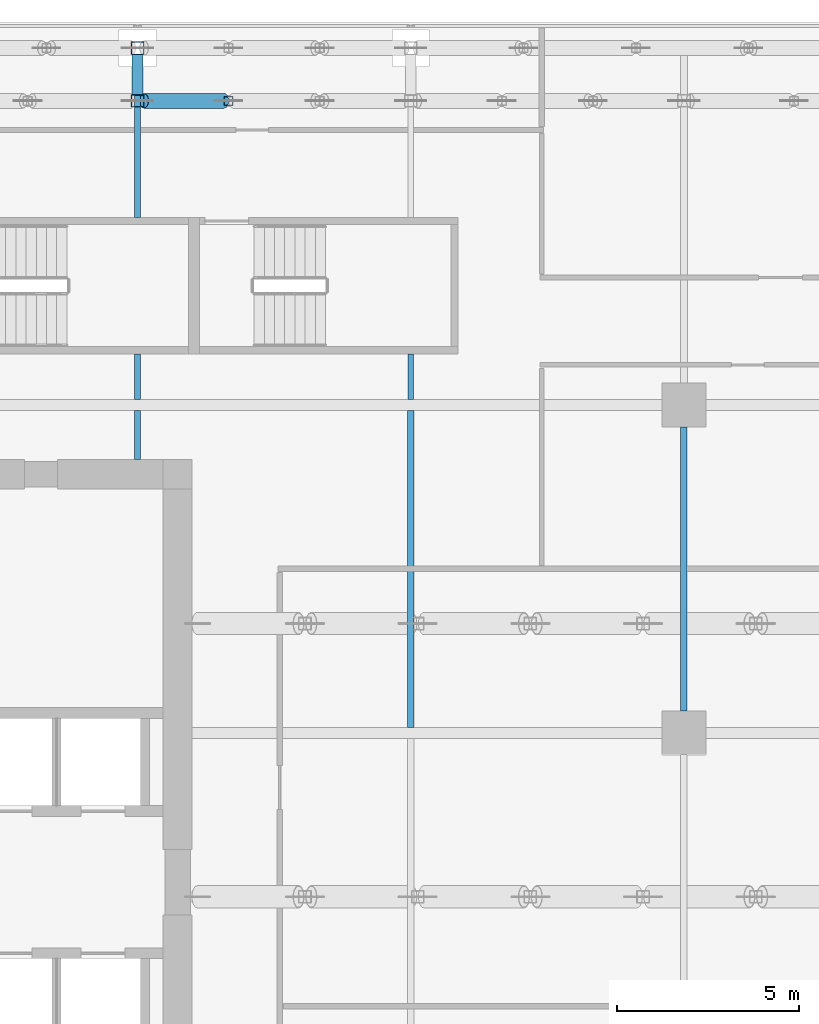
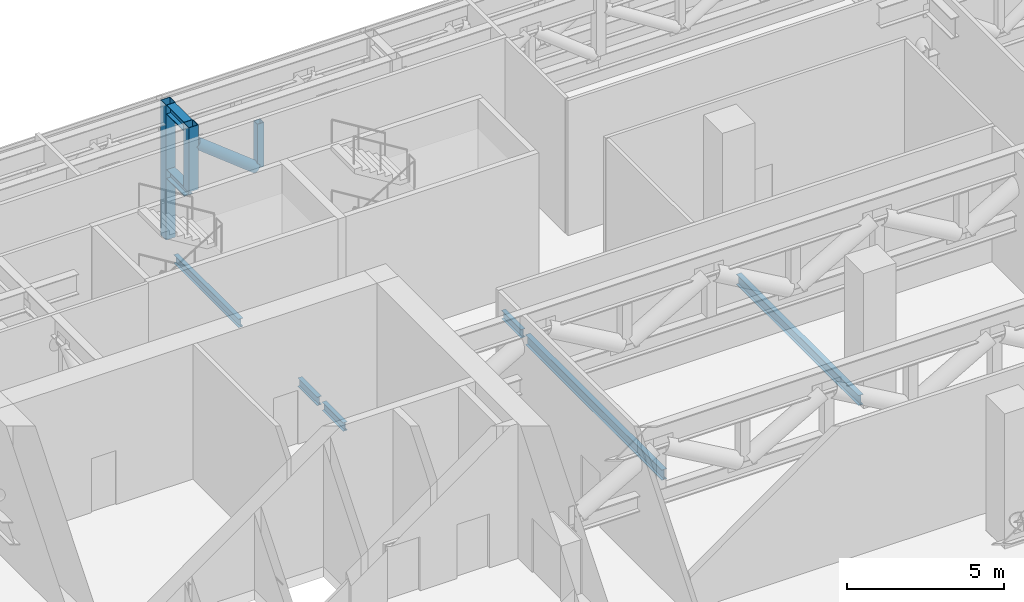
# One storey, part 21 of 36: 8 beams, 4 members.
"""IFC4 building model written with IfcOpenShell, lengths in metres."""

from ifc_helpers import new_model, si_unit, direction, frame, origin, origin_2d, place, context, subcontext, project, spatial, hollow_rectangle, hollow_circle, i_section, extrude, source, transform, mapped, material, material_profile, profile_set, type_object, element, save


model = new_model("IFC4")

# Units and contexts
model_context = context("Model", 3, precision=1e-05, world=origin(), true_north=direction((0.0, 1.0)))
body_context = subcontext(model_context, "Body", "Model", "MODEL_VIEW")
ifc_project = project(units=[si_unit("LENGTHUNIT", "METRE"), si_unit("AREAUNIT", "SQUARE_METRE"), si_unit("VOLUMEUNIT", "CUBIC_METRE"), si_unit("PLANEANGLEUNIT", "RADIAN"), si_unit("MASSUNIT", "GRAM", prefix="KILO")], contexts=[model_context])

# Site, building, storey
site_placement = place(None, origin())
site = spatial("IfcSite", under=ifc_project, at=site_placement, CompositionType="ELEMENT")
building_placement = place(site_placement, origin())
building = spatial("IfcBuilding", under=site, at=building_placement, Name="Khomas Fold Tower", CompositionType="ELEMENT")
storey_placement = place(building_placement, frame((0.0, 0.0, 216.699951171875)))
storey = spatial("IfcBuildingStorey", under=building, at=storey_placement, Name="L48", CompositionType="ELEMENT", Elevation=216.699951171875)

# Beams
ifc_material_1 = material(Name="Steel S355", Category="steel")
ifc_material_profile_1 = material_profile(ifc_material_1, i_section(OverallWidth=0.179931640625, OverallDepth=0.39990234375, WebThickness=0.008544921875, FlangeThickness=0.013427734375, at=origin_2d()), Name="IPE 400")
ifc_profile_set_1 = profile_set([ifc_material_profile_1], Name="Steel S355")
beam_type_1 = type_object("IfcBeamType", Name="IPE 400 beam JB3", PredefinedType="BEAM", material=ifc_profile_set_1)
shared_shape_1 = source(origin(), body_context, "Body", "SweptSolid", [
    extrude(i_section(OverallWidth=0.179931640625, OverallDepth=0.39990234375, WebThickness=0.008544921875, FlangeThickness=0.013427734375, at=origin_2d()), origin(), (0.0, 0.0, 1.0), 8.7001953125),
])
beam_1_placement = place(storey_placement, frame((27.0, 31.64990234375, -0.599853515625), z_axis=(0.0, 1.0, 0.0), x_axis=(-1.0, 0.0, 0.0)))
element("IfcBeam", 1, at=beam_1_placement, inside=storey, type_object=beam_type_1, Name="JB3", PredefinedType="BEAM", context=body_context, shape_type="MappedRepresentation", body=[
    mapped(shared_shape_1, transform((0.0, 0.0, 0.0))),
])
ifc_material_2 = material(Name="Steel S355", Category="steel")
ifc_material_profile_2 = material_profile(ifc_material_2, i_section(OverallWidth=0.159912109375, OverallDepth=0.330078125, WebThickness=0.007568359375, FlangeThickness=0.011474609375, at=origin_2d()), Name="IPE 330")
ifc_profile_set_2 = profile_set([ifc_material_profile_2], Name="Steel S355")
beam_type_2 = type_object("IfcBeamType", Name="IPE 330 beam JB1", PredefinedType="BEAM", material=ifc_profile_set_2)
shared_shape_2 = source(origin(), body_context, "Body", "SweptSolid", [
    extrude(i_section(OverallWidth=0.159912109375, OverallDepth=0.330078125, WebThickness=0.007568359375, FlangeThickness=0.011474609375, at=origin_2d()), origin(), (0.0, 0.0, 1.0), 1.25),
])
for number, where, z_axis, x_axis, name in (
    (2, (19.5, 40.64990234375, -0.56494140625), (0.0, 1.0, 0.0), (-1.0, 0.0, 0.0), "JB1"),
    (3, (27.0, 40.64990234375, -0.56494140625), (0.0, 1.0, 0.0), (-1.0, 0.0, 0.0), "JB1"),
):
    element("IfcBeam", number, at=place(storey_placement, frame(where, z_axis=z_axis, x_axis=x_axis)), inside=storey, type_object=beam_type_2, Name=name, PredefinedType="BEAM", context=body_context, shape_type="MappedRepresentation", body=[
        mapped(shared_shape_2, transform((0.0, 0.0, 0.0))),
    ])
shared_shape_3 = source(origin(), body_context, "Body", "SweptSolid", [
    extrude(i_section(OverallWidth=0.159912109375, OverallDepth=0.330078125, WebThickness=0.007568359375, FlangeThickness=0.011474609375, at=origin_2d()), origin(), (0.0, 0.0, 1.0), 4.150146484375),
])
beam_2_placement = place(storey_placement, frame((19.5, 45.64990234375, -0.56494140625), z_axis=(0.0, 1.0, 0.0), x_axis=(-1.0, 0.0, 0.0)))
element("IfcBeam", 4, at=beam_2_placement, inside=storey, type_object=beam_type_2, Name="JB1", PredefinedType="BEAM", context=body_context, shape_type="MappedRepresentation", body=[
    mapped(shared_shape_3, transform((0.0, 0.0, 0.0))),
])
shared_shape_4 = source(origin(), body_context, "Body", "SweptSolid", [
    extrude(i_section(OverallWidth=0.179931640625, OverallDepth=0.39990234375, WebThickness=0.008544921875, FlangeThickness=0.013427734375, at=origin_2d()), origin(), (0.0, 0.0, 1.0), 7.7998046875),
])
beam_3_placement = place(storey_placement, frame((34.5, 32.10009765625, -0.599853515625), z_axis=(0.0, 1.0, 0.0), x_axis=(-1.0, 0.0, 0.0)))
element("IfcBeam", 5, at=beam_3_placement, inside=storey, type_object=beam_type_1, Name="JB3", PredefinedType="BEAM", context=body_context, shape_type="MappedRepresentation", body=[
    mapped(shared_shape_4, transform((0.0, 0.0, 0.0))),
])
shared_shape_5 = source(origin(), body_context, "Body", "SweptSolid", [
    extrude(i_section(OverallWidth=0.159912109375, OverallDepth=0.330078125, WebThickness=0.007568359375, FlangeThickness=0.011474609375, at=origin_2d()), origin(), (0.0, 0.0, 1.0), 1.35009765625),
])
beam_4_placement = place(storey_placement, frame((19.5, 39.0, -0.56494140625), z_axis=(0.0, 1.0, 0.0), x_axis=(-1.0, 0.0, 0.0)))
element("IfcBeam", 6, at=beam_4_placement, inside=storey, type_object=beam_type_2, Name="JB1", PredefinedType="BEAM", context=body_context, shape_type="MappedRepresentation", body=[
    mapped(shared_shape_5, transform((0.0, 0.0, 0.0))),
])

# Members
ifc_material_3 = material(Name="Steel S355", Category="steel")
ifc_material_profile_3 = material_profile(ifc_material_3, hollow_circle(Radius=0.203125, WallThickness=0.012451171875, at=origin_2d()), Name="CHS 406.4x12.5")
ifc_profile_set_3 = profile_set([ifc_material_profile_3], Name="Steel S355")
member_type_1 = type_object("IfcMemberType", Name="BELT TRUSS 3 DIAGONAL CHS 406.4x12.5", PredefinedType="BRACE", material=ifc_profile_set_3)
shared_shape_6 = source(origin(), body_context, "Body", "SweptSolid", [
    extrude(hollow_circle(Radius=0.203125, WallThickness=0.012451171875, at=origin_2d()), origin(), (0.0, 0.0, 1.0), 2.798583984375),
])
member_1_placement = place(storey_placement, frame((21.875, 48.85009765625, 2.735107421875), z_axis=(-0.786067028411, 0.0, 0.618141267709), x_axis=(0.0, -1.0, 0.0)))
element("IfcMember", 7, at=member_1_placement, inside=storey, type_object=member_type_1, Name="BT3-D", PredefinedType="BRACE", context=body_context, shape_type="MappedRepresentation", body=[
    mapped(shared_shape_6, transform((0.0, 0.0, 0.0))),
])
ifc_material_4 = material(Name="Steel S355", Category="steel")
ifc_material_profile_4 = material_profile(ifc_material_4, hollow_rectangle(XDim=0.25, YDim=0.25, WallThickness=0.01611328125, at=origin_2d()), Name="SHS 250x250x16")
ifc_profile_set_4 = profile_set([ifc_material_profile_4], Name="Steel S355")
member_type_2 = type_object("IfcMemberType", Name="BELT TRUSS 3 MID POST SHS 250x250x16", PredefinedType="POST", material=ifc_profile_set_4)
shared_shape_7 = source(origin(), body_context, "Body", "SweptSolid", [
    extrude(hollow_rectangle(XDim=0.25, YDim=0.25, WallThickness=0.01611328125, at=origin_2d()), origin(), (0.0, 0.0, 1.0), 1.719970703125),
])
member_2_placement = place(storey_placement, frame((22.0, 48.85009765625, 2.739990234375), z_axis=(0.0, 0.0, 1.0), x_axis=(1.0, 0.0, 0.0)))
element("IfcMember", 8, at=member_2_placement, inside=storey, type_object=member_type_2, Name="BT3-M", PredefinedType="POST", context=body_context, shape_type="MappedRepresentation", body=[
    mapped(shared_shape_7, transform((0.0, 0.0, 0.0))),
])
ifc_material_5 = material(Name="Steel S355", Category="steel")
ifc_material_profile_5 = material_profile(ifc_material_5, hollow_rectangle(XDim=0.35009765625, YDim=0.35009765625, WallThickness=0.01611328125, at=origin_2d()), Name="SHS 350x350x16")
ifc_profile_set_5 = profile_set([ifc_material_profile_5], Name="Steel S355")
member_type_3 = type_object("IfcMemberType", Name="BELT TRUSS 3 COLUMN POST SHS 350x350x16", PredefinedType="POST", material=ifc_profile_set_5)
shared_shape_8 = source(origin(), body_context, "Body", "SweptSolid", [
    extrude(hollow_rectangle(XDim=0.35009765625, YDim=0.35009765625, WallThickness=0.01611328125, at=origin_2d()), origin(), (0.0, 0.0, 1.0), 5.25),
])
member_3_placement = place(storey_placement, frame((19.5, 50.300048828125, 0.0), z_axis=(0.0, 0.0, 1.0), x_axis=(1.0, 0.0, 0.0)))
element("IfcMember", 9, at=member_3_placement, inside=storey, type_object=member_type_3, Name="BT3-P", PredefinedType="POST", context=body_context, shape_type="MappedRepresentation", body=[
    mapped(shared_shape_8, transform((0.0, 0.0, 0.0))),
])
ifc_material_6 = material(Name="Steel S355", Category="steel")
ifc_material_profile_6 = material_profile(ifc_material_6, hollow_rectangle(XDim=0.35009765625, YDim=0.35009765625, WallThickness=0.01611328125, at=origin_2d()), Name="SHS 350x350x16")
ifc_profile_set_6 = profile_set([ifc_material_profile_6], Name="Steel S355")
member_type_4 = type_object("IfcMemberType", Name="BELT TRUSS 3 COLUMN POST SHORT SHS 350x350x16", PredefinedType="POST", material=ifc_profile_set_6)
shared_shape_9 = source(origin(), body_context, "Body", "SweptSolid", [
    extrude(hollow_rectangle(XDim=0.35009765625, YDim=0.35009765625, WallThickness=0.01611328125, at=origin_2d()), origin(), (0.0, 0.0, 1.0), 2.510009765625),
])
member_4_placement = place(storey_placement, frame((19.5, 48.85009765625, 2.739990234375), z_axis=(0.0, 0.0, 1.0), x_axis=(1.0, 0.0, 0.0)))
element("IfcMember", 10, at=member_4_placement, inside=storey, type_object=member_type_4, Name="BT3-PS", PredefinedType="POST", context=body_context, shape_type="MappedRepresentation", body=[
    mapped(shared_shape_9, transform((0.0, 0.0, 0.0))),
])

# Beams
ifc_material_7 = material(Name="Steel S355", Category="steel")
ifc_material_profile_7 = material_profile(ifc_material_7, i_section(OverallWidth=0.300048828125, OverallDepth=0.360107421875, WebThickness=0.012451171875, FlangeThickness=0.0224609375, at=origin_2d()), Name="HE 360 B")
ifc_profile_set_7 = profile_set([ifc_material_profile_7], Name="Steel S355")
beam_type_3 = type_object("IfcBeamType", Name="BELT TRUSS 3 TOP STRUT HE 360 B", PredefinedType="BEAM", material=ifc_profile_set_7)
shared_shape_10 = source(origin(), body_context, "Body", "SweptSolid", [
    extrude(i_section(OverallWidth=0.300048828125, OverallDepth=0.360107421875, WebThickness=0.012451171875, FlangeThickness=0.0224609375, at=origin_2d()), origin(), (0.0, 0.0, 1.0), 1.10009765625),
])
beam_5_placement = place(storey_placement, frame((19.5, 49.02490234375, 5.070068359375), z_axis=(0.0, 1.0, 0.0), x_axis=(-1.0, 0.0, 0.0)))
element("IfcBeam", 11, at=beam_5_placement, inside=storey, type_object=beam_type_3, Name="BT3-ST", PredefinedType="BEAM", context=body_context, shape_type="MappedRepresentation", body=[
    mapped(shared_shape_10, transform((0.0, 0.0, 0.0))),
])
ifc_material_8 = material(Name="Steel S355", Category="steel")
ifc_material_profile_8 = material_profile(ifc_material_8, i_section(OverallWidth=0.300048828125, OverallDepth=0.360107421875, WebThickness=0.012451171875, FlangeThickness=0.0224609375, at=origin_2d()), Name="HE 360 B")
ifc_profile_set_8 = profile_set([ifc_material_profile_8], Name="Steel S355")
beam_type_4 = type_object("IfcBeamType", Name="BELT TRUSS 3 BOTTOM STRUT HE 360 B", PredefinedType="BEAM", material=ifc_profile_set_8)
shared_shape_11 = source(origin(), body_context, "Body", "SweptSolid", [
    extrude(i_section(OverallWidth=0.300048828125, OverallDepth=0.360107421875, WebThickness=0.012451171875, FlangeThickness=0.0224609375, at=origin_2d()), origin(), (0.0, 0.0, 1.0), 1.125),
])
beam_6_placement = place(storey_placement, frame((19.5, 49.0, 2.56005859375), z_axis=(0.0, 1.0, 0.0), x_axis=(-1.0, 0.0, 0.0)))
element("IfcBeam", 12, at=beam_6_placement, inside=storey, type_object=beam_type_4, Name="BT3-SB", PredefinedType="BEAM", context=body_context, shape_type="MappedRepresentation", body=[
    mapped(shared_shape_11, transform((0.0, 0.0, 0.0))),
])

save(model, "model.ifc")
